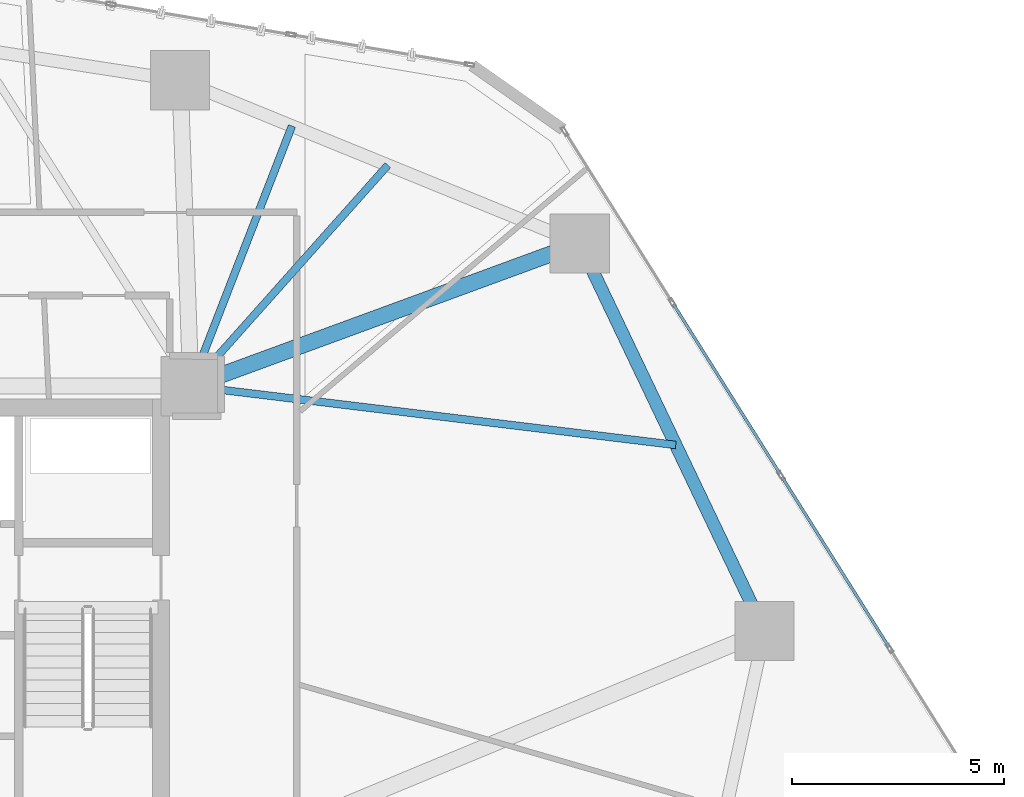
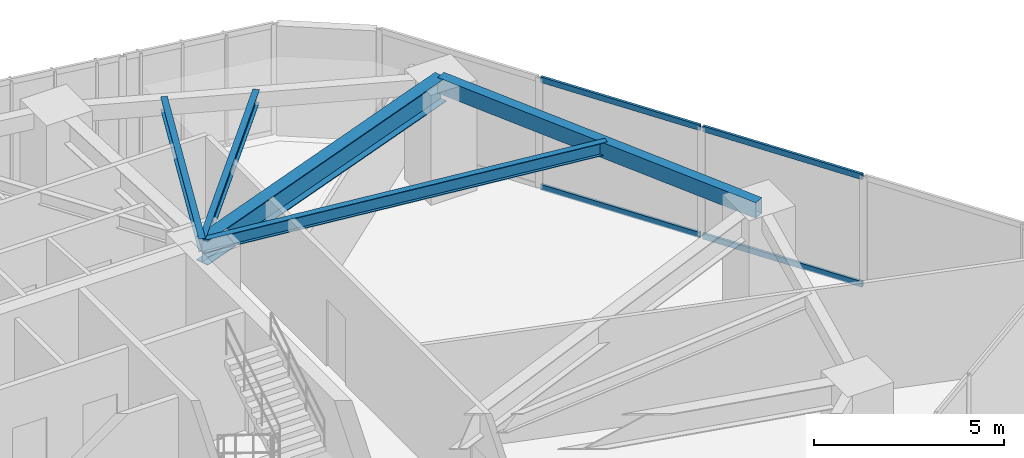
# One storey, part 11 of 21: 5 beams, 4 members, 1 element without a shape of its own.
"""IFC4 building model written with IfcOpenShell, lengths in metres."""

from ifc_helpers import new_model, si_unit, direction, frame, origin, origin_2d, place, context, subcontext, project, spatial, hollow_rectangle, i_section, extrude, source, transform, mapped, material, layer, layer_set, material_profile, profile_set, type_object, type_shapes, element, aggregate, save


model = new_model("IFC4")

# Units and contexts
model_context = context("Model", 3, precision=1e-05, world=origin(), true_north=direction((0.0, 1.0)))
body_context = subcontext(model_context, "Body", "Model", "MODEL_VIEW")
ifc_project = project(units=[si_unit("LENGTHUNIT", "METRE"), si_unit("AREAUNIT", "SQUARE_METRE"), si_unit("VOLUMEUNIT", "CUBIC_METRE"), si_unit("PLANEANGLEUNIT", "RADIAN"), si_unit("MASSUNIT", "GRAM", prefix="KILO")], contexts=[model_context])

# Site, building, storey
site_placement = place(None, origin())
site = spatial("IfcSite", under=ifc_project, at=site_placement, CompositionType="ELEMENT")
building_placement = place(site_placement, origin())
building = spatial("IfcBuilding", under=site, at=building_placement, Name="Talar Marvaseh", CompositionType="ELEMENT")
storey_placement = place(building_placement, frame((0.0, 0.0, 62.0)))
storey = spatial("IfcBuildingStorey", under=building, at=storey_placement, Name="L15", CompositionType="ELEMENT", Elevation=62.0)

# Beams
ifc_material_1 = material(Name="Steel S355", Category="steel")
ifc_material_profile_1 = material_profile(ifc_material_1, hollow_rectangle(XDim=0.300048828125, YDim=0.5, WallThickness=0.02001953125, at=origin_2d()), Name="RHS500x300x20")
ifc_profile_set_1 = profile_set([ifc_material_profile_1], Name="Steel S355")
beam_type_1 = type_object("IfcBeamType", Name="Zone 1 Perimeter Spandrel Beam RHS500x300x20", PredefinedType="SPANDREL", material=ifc_profile_set_1)
beam_1_placement = place(storey_placement, frame((42.47705078125, 40.26904296875, 3.27001953125), z_axis=(0.430480372911, -0.902599938255, 0.0), x_axis=(0.902599938255, 0.430480372911, 0.0)))
element("IfcBeam", 1, at=beam_1_placement, inside=storey, type_object=beam_type_1, Name="L15 Zone 1 Perimeter Spandrel Beam RHS500x300x20", PredefinedType="SPANDREL", context=body_context, shape_type="SweptSolid", body=[
    extrude(hollow_rectangle(XDim=0.300048828125, YDim=0.5, WallThickness=0.02001953125, at=origin_2d()), origin(), (0.0, 0.0, 1.0), 10.137451171875),
])
ifc_material_profile_2 = material_profile(ifc_material_1, i_section(OverallWidth=0.381103515625, OverallDepth=0.77294921875, WebThickness=0.0166015625, FlangeThickness=0.027099609375, at=origin_2d()), Name="W760x257")
ifc_profile_set_2 = profile_set([ifc_material_profile_2], Name="Steel S355")
beam_type_2 = type_object("IfcBeamType", Name="Zone 1 Radial Floor Girder W760x257", PredefinedType="BEAM", material=ifc_profile_set_2)
beam_2_placement = place(storey_placement, frame((42.47705078125, 40.26904296875, 3.133544921875), z_axis=(-0.938736057616, -0.344636930887, 0.0), x_axis=(0.344636930887, -0.938736057616, 0.0)))
element("IfcBeam", 2, at=beam_2_placement, inside=storey, type_object=beam_type_2, Name="L15 Zone 1 Radial Floor Girder W760x257", PredefinedType="BEAM", context=body_context, shape_type="SweptSolid", body=[
    extrude(i_section(OverallWidth=0.381103515625, OverallDepth=0.77294921875, WebThickness=0.0166015625, FlangeThickness=0.027099609375, at=origin_2d()), origin(), (0.0, 0.0, 1.0), 9.77587890625),
])
ifc_material_profile_3 = material_profile(ifc_material_1, i_section(OverallWidth=0.179931640625, OverallDepth=0.4130859375, WebThickness=0.009765625, FlangeThickness=0.01611328125, at=origin_2d()), Name="W410x75")
ifc_profile_set_3 = profile_set([ifc_material_profile_3], Name="Steel S355")
beam_type_3 = type_object("IfcBeamType", Name="Zone 1 Secondary Floor Joist W410x75", PredefinedType="JOIST", material=ifc_profile_set_3)
beam_3_placement = place(storey_placement, frame((44.746337890625, 35.510986328125, 3.3134765625), z_axis=(-0.99271836771, 0.120458467577, 0.0), x_axis=(-0.120458467577, -0.99271836771, 0.0)))
element("IfcBeam", 3, at=beam_3_placement, inside=storey, type_object=beam_type_3, Name="L15 Zone 1 Secondary Floor Joist W410x75", PredefinedType="JOIST", context=body_context, shape_type="SweptSolid", body=[
    extrude(i_section(OverallWidth=0.179931640625, OverallDepth=0.4130859375, WebThickness=0.009765625, FlangeThickness=0.01611328125, at=origin_2d()), origin(), (0.0, 0.0, 1.0), 11.5302734375),
])
beam_4_placement = place(storey_placement, frame((35.686767578125, 43.040283203125, 3.3134765625), z_axis=(-0.362287091686, -0.932066555133, 0.0), x_axis=(0.932066555133, -0.362287091686, 0.0)))
element("IfcBeam", 4, at=beam_4_placement, inside=storey, type_object=beam_type_3, Name="L15 Zone 1 Secondary Floor Joist W410x75", PredefinedType="JOIST", context=body_context, shape_type="SweptSolid", body=[
    extrude(i_section(OverallWidth=0.179931640625, OverallDepth=0.4130859375, WebThickness=0.009765625, FlangeThickness=0.01611328125, at=origin_2d()), origin(), (0.0, 0.0, 1.0), 6.587890625),
])
beam_5_placement = place(storey_placement, frame((37.9501953125, 42.116455078125, 3.3134765625), z_axis=(-0.665419195859, -0.746469888062, 0.0), x_axis=(0.746469888062, -0.665419195859, 0.0)))
element("IfcBeam", 5, at=beam_5_placement, inside=storey, type_object=beam_type_3, Name="L15 Zone 1 Secondary Floor Joist W410x75", PredefinedType="JOIST", context=body_context, shape_type="SweptSolid", body=[
    extrude(i_section(OverallWidth=0.179931640625, OverallDepth=0.4130859375, WebThickness=0.009765625, FlangeThickness=0.01611328125, at=origin_2d()), origin(), (0.0, 0.0, 1.0), 6.98828125),
])

# Curtain wall, members
ifc_material_2 = material(Name="Architectural Aluminium", Category="aluminium")
ifc_layer = layer(ifc_material_2, 0.219970703125)
ifc_layer_set = layer_set([ifc_layer], Name="Architectural Aluminium")
curtain_wall_type = type_object("IfcCurtainWallType", Name="Unitised Low-E Museum Curtain Wall Z1", PredefinedType="NOTDEFINED", material=ifc_layer_set)
curtain_wall_placement = place(storey_placement, origin())
curtain_wall = element("IfcCurtainWall", 6, at=curtain_wall_placement, inside=storey, type_object=curtain_wall_type, Name="L15 Unitised Low-E Museum Curtain Wall Z1", PredefinedType="NOTDEFINED")
ifc_material_profile_4 = material_profile(ifc_material_2, hollow_rectangle(XDim=0.074951171875, YDim=0.179931640625, WallThickness=0.0048828125, at=origin_2d()), Name="RHS180x75x5")
ifc_profile_set_4 = profile_set([ifc_material_profile_4], Name="Architectural Aluminium")
member_type = type_object("IfcMemberType", Name="Unitised Curtain Wall Transom RHS180x75x5", PredefinedType="USERDEFINED", material=ifc_profile_set_4)
shared_shape_1 = source(origin(), body_context, "Body", "SweptSolid", [
    extrude(hollow_rectangle(XDim=0.074951171875, YDim=0.179931640625, WallThickness=0.0048828125, at=origin_2d()), origin(), (0.0, 0.0, 1.0), 4.736572265625),
])
member_1_placement = place(storey_placement, frame((44.690185546875, 38.832275390625, 0.03759765625), z_axis=(0.532197935551, -0.846619960428, 0.0), x_axis=(0.846619960428, 0.532197935551, 0.0)))
member_1 = element("IfcMember", 7, at=member_1_placement, type_object=member_type, Name="CW-Z1 transom 2.1", ObjectType="TRANSOM", PredefinedType="USERDEFINED", context=body_context, shape_type="MappedRepresentation", body=[
    mapped(shared_shape_1, transform((0.0, 0.0, 0.0), x_axis=(1.0, 0.0, 0.0), y_axis=(0.0, 1.0, 0.0), z_axis=(0.0, 0.0, 1.0), scale=1.0)),
])
member_2_placement = place(storey_placement, frame((44.690185546875, 38.832275390625, 3.482421875), z_axis=(0.532197935551, -0.846619960428, 0.0), x_axis=(0.846619960428, 0.532197935551, 0.0)))
member_2 = element("IfcMember", 8, at=member_2_placement, type_object=member_type, Name="CW-Z1 transom 2.2", ObjectType="TRANSOM", PredefinedType="USERDEFINED", context=body_context, shape_type="MappedRepresentation", body=[
    mapped(shared_shape_1, transform((0.0, 0.0, 0.0), x_axis=(1.0, 0.0, 0.0), y_axis=(0.0, 1.0, 0.0), z_axis=(0.0, 0.0, 1.0), scale=1.0)),
])
shared_shape_2 = source(origin(), body_context, "Body", "SweptSolid", [
    extrude(hollow_rectangle(XDim=0.074951171875, YDim=0.179931640625, WallThickness=0.0048828125, at=origin_2d()), origin(), (0.0, 0.0, 1.0), 4.73681640625),
])
type_shapes(member_type, [shared_shape_1, shared_shape_2])
member_3_placement = place(storey_placement, frame((47.25341796875, 34.754638671875, 0.03759765625), z_axis=(0.532211655469, -0.846611335728, 0.0), x_axis=(0.846611335728, 0.532211655469, 0.0)))
member_3 = element("IfcMember", 9, at=member_3_placement, type_object=member_type, Name="CW-Z1 transom 3.1", ObjectType="TRANSOM", PredefinedType="USERDEFINED", context=body_context, shape_type="MappedRepresentation", body=[
    mapped(shared_shape_2, transform((0.0, 0.0, 0.0), x_axis=(1.0, 0.0, 0.0), y_axis=(0.0, 1.0, 0.0), z_axis=(0.0, 0.0, 1.0), scale=1.0)),
])
member_4_placement = place(storey_placement, frame((47.25341796875, 34.754638671875, 3.482421875), z_axis=(0.532211655469, -0.846611335728, 0.0), x_axis=(0.846611335728, 0.532211655469, 0.0)))
member_4 = element("IfcMember", 10, at=member_4_placement, type_object=member_type, Name="CW-Z1 transom 3.2", ObjectType="TRANSOM", PredefinedType="USERDEFINED", context=body_context, shape_type="MappedRepresentation", body=[
    mapped(shared_shape_2, transform((0.0, 0.0, 0.0), x_axis=(1.0, 0.0, 0.0), y_axis=(0.0, 1.0, 0.0), z_axis=(0.0, 0.0, 1.0), scale=1.0)),
])
aggregate(curtain_wall, [member_1, member_2, member_3, member_4])

save(model, "model.ifc")
